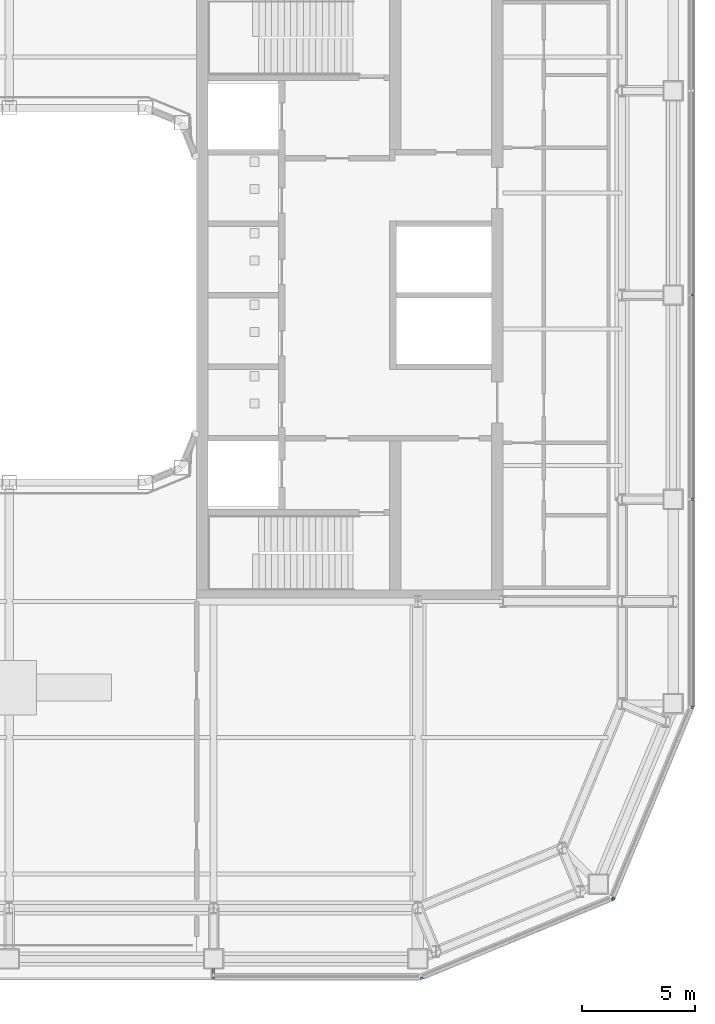
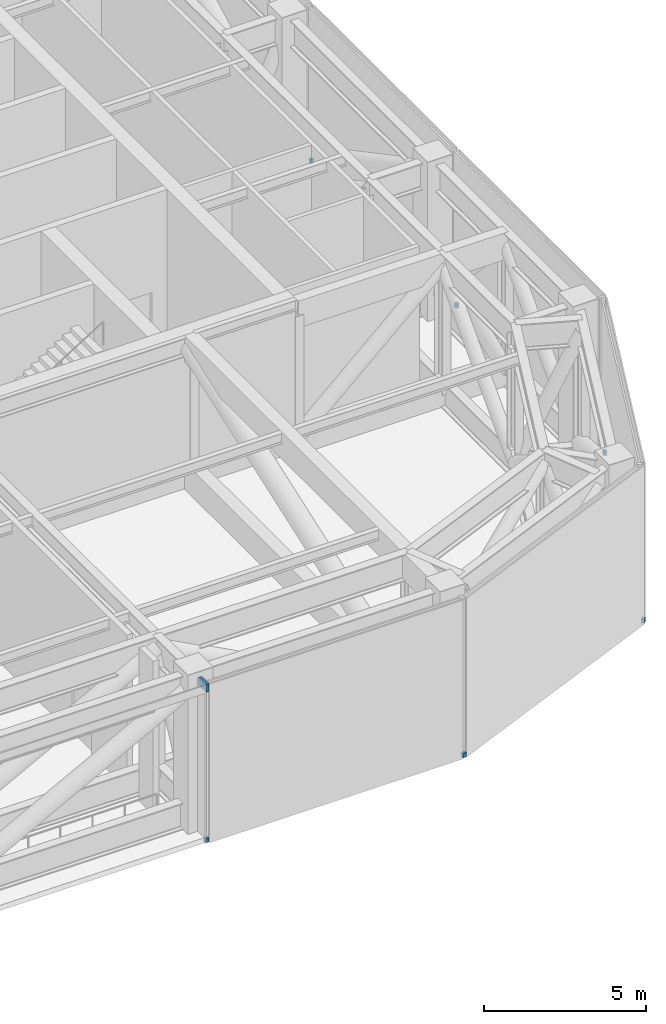
# One storey, part 16 of 22: 7 discrete accessories.
"""IFC4 building model written with IfcOpenShell, lengths in metres."""

from ifc_helpers import new_model, si_unit, direction, frame, origin, origin_2d, place, context, subcontext, project, spatial, rectangle, extrude, material, type_object, element, save


model = new_model("IFC4")

# Units and contexts
model_context = context("Model", 3, precision=1e-05, world=origin(), true_north=direction((0.0, 1.0)))
body_context = subcontext(model_context, "Body", "Model", "MODEL_VIEW")
ifc_project = project(units=[si_unit("LENGTHUNIT", "METRE"), si_unit("AREAUNIT", "SQUARE_METRE"), si_unit("VOLUMEUNIT", "CUBIC_METRE"), si_unit("PLANEANGLEUNIT", "RADIAN"), si_unit("MASSUNIT", "GRAM", prefix="KILO")], contexts=[model_context])

# Site, building, storey
site_placement = place(None, origin())
site = spatial("IfcSite", under=ifc_project, at=site_placement, CompositionType="ELEMENT")
building_placement = place(site_placement, origin())
building = spatial("IfcBuilding", under=site, at=building_placement, Name="Siwar Civic Tower", CompositionType="ELEMENT")
storey_placement = place(building_placement, frame((0.0, 0.0, 181.199951171875)))
storey = spatial("IfcBuildingStorey", under=building, at=storey_placement, Name="L39", CompositionType="ELEMENT", Elevation=181.199951171875)

# Discrete accessories
ifc_material = material(Name="Stainless steel 316", Category="steel")
discrete_accessory_type = type_object("IfcDiscreteAccessoryType", Name="ENV-BRACKET", PredefinedType="BRACKET", material=ifc_material)
for number, where, z_axis, x_axis, name in (
    (1, (30.10009765625, -9.0, -0.1796875), (0.0, 0.0, 1.0), (1.0, 0.0, 0.0), "Bracket outer skin joint E-01"),
    (2, (30.10009765625, 0.0, -0.1796875), (0.0, 0.0, 1.0), (1.0, 0.0, 0.0), "Bracket outer skin joint E-02"),
    (3, (9.0, -30.10009765625, -0.1796875), (0.0, 0.0, 1.0), (0.0, -1.0, 0.0), "Bracket outer skin joint S-03"),
):
    element("IfcDiscreteAccessory", number, at=place(storey_placement, frame(where, z_axis=z_axis, x_axis=x_axis)), inside=storey, type_object=discrete_accessory_type, Name=name, PredefinedType="BRACKET", context=body_context, shape_type="SweptSolid", body=[
        extrude(rectangle(XDim=0.10009765625, YDim=0.10009765625, at=origin_2d()), origin(), (0.0, 0.0, 1.0), 0.159912109375),
    ])
discrete_accessory_1_placement = place(storey_placement, frame((18.169189453125, -30.10009765625, -0.1796875), z_axis=(0.0, 0.0, 1.0), x_axis=(0.195090322016, -0.980785280403, 0.0)))
element("IfcDiscreteAccessory", 4, at=discrete_accessory_1_placement, inside=storey, type_object=discrete_accessory_type, Name="Bracket outer skin joint V01", PredefinedType="BRACKET", context=body_context, shape_type="SweptSolid", body=[
    extrude(rectangle(XDim=0.10205078125, YDim=0.13720703125, at=origin_2d()), origin(), (0.0, 0.0, 1.0), 0.159912109375),
])
discrete_accessory_2_placement = place(storey_placement, frame((26.60546875, -26.60546875, -0.1796875), z_axis=(0.0, 0.0, 1.0), x_axis=(0.707106781187, -0.707106781187, 0.0)))
element("IfcDiscreteAccessory", 5, at=discrete_accessory_2_placement, inside=storey, type_object=discrete_accessory_type, Name="Bracket outer skin joint V02", PredefinedType="BRACKET", context=body_context, shape_type="SweptSolid", body=[
    extrude(rectangle(XDim=0.108154296875, YDim=0.12939453125, at=origin_2d()), origin(), (0.0, 0.0, 1.0), 0.159912109375),
])
discrete_accessory_3_placement = place(storey_placement, frame((30.10009765625, -18.169189453125, -0.1796875), z_axis=(0.0, 0.0, 1.0), x_axis=(0.980785280403, -0.195090322016, 0.0)))
element("IfcDiscreteAccessory", 6, at=discrete_accessory_3_placement, inside=storey, type_object=discrete_accessory_type, Name="Bracket outer skin joint V03", PredefinedType="BRACKET", context=body_context, shape_type="SweptSolid", body=[
    extrude(rectangle(XDim=0.10205078125, YDim=0.13720703125, at=origin_2d()), origin(), (0.0, 0.0, 1.0), 0.159912109375),
])
discrete_accessory_4_placement = place(storey_placement, frame((9.0, -29.9150390625, 5.5), z_axis=(0.0, 0.0, 1.0), x_axis=(0.0, 1.0, 0.0)))
element("IfcDiscreteAccessory", 7, at=discrete_accessory_4_placement, inside=storey, type_object=discrete_accessory_type, Name="Bracket portal frame S L39", PredefinedType="BRACKET", context=body_context, shape_type="SweptSolid", body=[
    extrude(rectangle(XDim=0.469970703125, YDim=0.10009765625, at=origin_2d()), origin(), (0.0, 0.0, 1.0), 0.300048828125),
])

save(model, "model.ifc")
